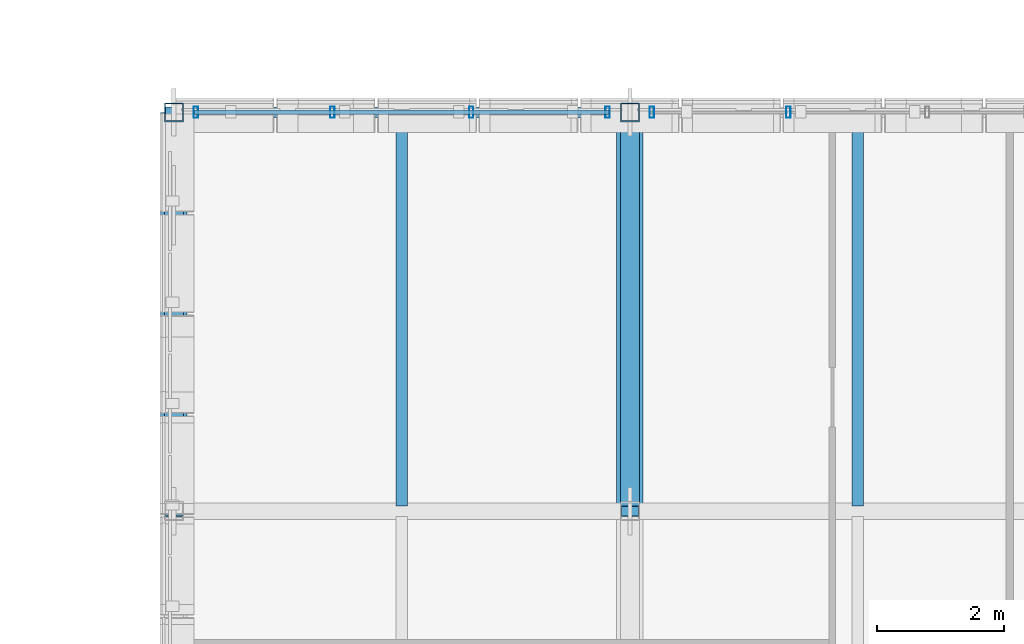
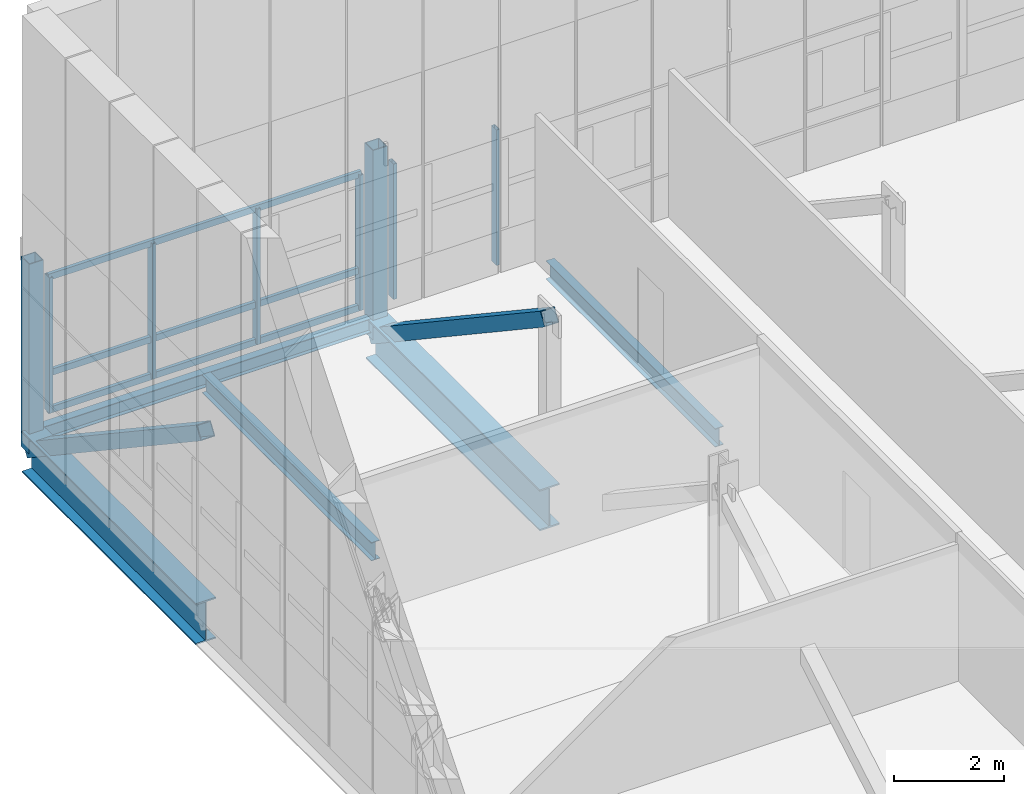
# One storey, part 32 of 144: 13 members, 5 beams, 2 elements without a shape of their own.
"""IFC4 building model written with IfcOpenShell, lengths in metres."""

from ifc_helpers import new_model, si_unit, direction, frame, origin, origin_2d, place, context, subcontext, project, spatial, hollow_rectangle, i_section, extrude, material, material_profile, profile_set, type_object, element, aggregate, save


model = new_model("IFC4")

# Units and contexts
model_context = context("Model", 3, precision=1e-05, world=origin(), true_north=direction((0.0, 1.0)))
body_context = subcontext(model_context, "Body", "Model", "MODEL_VIEW")
ifc_project = project(units=[si_unit("LENGTHUNIT", "METRE"), si_unit("AREAUNIT", "SQUARE_METRE"), si_unit("VOLUMEUNIT", "CUBIC_METRE"), si_unit("PLANEANGLEUNIT", "RADIAN"), si_unit("MASSUNIT", "GRAM", prefix="KILO")], contexts=[model_context])

# Site, building, storey
site_placement = place(None, origin())
site = spatial("IfcSite", under=ifc_project, at=site_placement, CompositionType="ELEMENT")
building_placement = place(site_placement, origin())
building = spatial("IfcBuilding", under=site, at=building_placement, Name="Yarey Park Central Fire Station", CompositionType="ELEMENT")
storey_placement = place(building_placement, frame((0.0, 0.0, 10.199951171875)))
storey = spatial("IfcBuildingStorey", under=building, at=storey_placement, Name="L03", CompositionType="ELEMENT", Elevation=10.199951171875)

# Curtain wall, members
ifc_material_1 = material(Name="Anodized Aluminium Frame", Category="aluminium")
curtain_wall_type = type_object("IfcCurtainWallType", Name="ENV_CW_V3_OVR1", PredefinedType="NOTDEFINED", material=ifc_material_1)
curtain_wall_1_placement = place(storey_placement, origin())
curtain_wall_1 = element("IfcCurtainWall", 1, at=curtain_wall_1_placement, inside=storey, type_object=curtain_wall_type, Name="CW_L03_V3_N_043", PredefinedType="NOTDEFINED")
ifc_material_profile_1 = material_profile(ifc_material_1, hollow_rectangle(XDim=0.070068359375, YDim=0.179931640625, WallThickness=0.00390625, at=origin_2d()), Name="ALU 180x70x4")
ifc_profile_set_1 = profile_set([ifc_material_profile_1], Name="Anodized Aluminium Frame")
member_type_1 = type_object("IfcMemberType", Name="ENV_CW_MULLION", PredefinedType="MULLION", material=ifc_profile_set_1)
member_1_placement = place(storey_placement, frame((35.64990234375, 99.0, 0.0), z_axis=(0.0, 0.0, 1.0), x_axis=(1.0, 0.0, 0.0)))
member_1 = element("IfcMember", 2, at=member_1_placement, type_object=member_type_1, Name="CW_L03_V3_N_043_MUL1", PredefinedType="MULLION", context=body_context, shape_type="SweptSolid", body=[
    extrude(hollow_rectangle(XDim=0.070068359375, YDim=0.179931640625, WallThickness=0.00390625, at=origin_2d()), origin(), (0.0, 0.0, 1.0), 3.0),
])
member_2_placement = place(storey_placement, frame((33.49658203125, 99.0, 0.0), z_axis=(0.0, 0.0, 1.0), x_axis=(1.0, 0.0, 0.0)))
member_2 = element("IfcMember", 3, at=member_2_placement, type_object=member_type_1, Name="CW_L03_V3_N_043_MUL2", PredefinedType="MULLION", context=body_context, shape_type="SweptSolid", body=[
    extrude(hollow_rectangle(XDim=0.070068359375, YDim=0.179931640625, WallThickness=0.00390625, at=origin_2d()), origin(), (0.0, 0.0, 1.0), 3.0),
])
member_3_placement = place(storey_placement, frame((31.30322265625, 99.0, 0.0), z_axis=(0.0, 0.0, 1.0), x_axis=(1.0, 0.0, 0.0)))
member_3 = element("IfcMember", 4, at=member_3_placement, type_object=member_type_1, Name="CW_L03_V3_N_043_MUL3", PredefinedType="MULLION", context=body_context, shape_type="SweptSolid", body=[
    extrude(hollow_rectangle(XDim=0.070068359375, YDim=0.179931640625, WallThickness=0.00390625, at=origin_2d()), origin(), (0.0, 0.0, 1.0), 3.0),
])
member_4_placement = place(storey_placement, frame((29.14990234375, 99.0, 0.0), z_axis=(0.0, 0.0, 1.0), x_axis=(1.0, 0.0, 0.0)))
member_4 = element("IfcMember", 5, at=member_4_placement, type_object=member_type_1, Name="CW_L03_V3_N_043_MUL4", PredefinedType="MULLION", context=body_context, shape_type="SweptSolid", body=[
    extrude(hollow_rectangle(XDim=0.070068359375, YDim=0.179931640625, WallThickness=0.00390625, at=origin_2d()), origin(), (0.0, 0.0, 1.0), 3.0),
])

curtain_wall_2_placement = place(storey_placement, origin())
curtain_wall_2 = element("IfcCurtainWall", 6, at=curtain_wall_2_placement, inside=storey, type_object=curtain_wall_type, Name="CW_L03_V3_N_044", PredefinedType="NOTDEFINED")
member_5_placement = place(storey_placement, frame((38.50341796875, 99.0, 0.0), z_axis=(0.0, 0.0, 1.0), x_axis=(1.0, 0.0, 0.0)))
member_5 = element("IfcMember", 7, at=member_5_placement, type_object=member_type_1, Name="CW_L03_V3_N_044_MUL3", PredefinedType="MULLION", context=body_context, shape_type="SweptSolid", body=[
    extrude(hollow_rectangle(XDim=0.070068359375, YDim=0.179931640625, WallThickness=0.00390625, at=origin_2d()), origin(), (0.0, 0.0, 1.0), 3.0),
])
member_6_placement = place(storey_placement, frame((36.35009765625, 99.0, 0.0), z_axis=(0.0, 0.0, 1.0), x_axis=(1.0, 0.0, 0.0)))
member_6 = element("IfcMember", 8, at=member_6_placement, type_object=member_type_1, Name="CW_L03_V3_N_044_MUL4", PredefinedType="MULLION", context=body_context, shape_type="SweptSolid", body=[
    extrude(hollow_rectangle(XDim=0.070068359375, YDim=0.179931640625, WallThickness=0.00390625, at=origin_2d()), origin(), (0.0, 0.0, 1.0), 3.0),
])
aggregate(curtain_wall_2, [member_5, member_6])

# Member
ifc_material_profile_2 = material_profile(ifc_material_1, hollow_rectangle(XDim=0.070068359375, YDim=0.139892578125, WallThickness=0.00390625, at=origin_2d()), Name="ALU 140x70x4")
ifc_profile_set_2 = profile_set([ifc_material_profile_2], Name="Anodized Aluminium Frame")
member_type_2 = type_object("IfcMemberType", Name="ENV_CW_TRANSOM", PredefinedType="USERDEFINED", material=ifc_profile_set_2)
member_7_placement = place(storey_placement, frame((35.675048828125, 99.0, 0.025146484375), z_axis=(-1.0, 0.0, 0.0), x_axis=(0.0, -1.0, 0.0)))
member_7 = element("IfcMember", 9, at=member_7_placement, type_object=member_type_2, Name="CW_L03_V3_N_043_TRN1", ObjectType="TRANSOM", PredefinedType="USERDEFINED", context=body_context, shape_type="SweptSolid", body=[
    extrude(hollow_rectangle(XDim=0.070068359375, YDim=0.139892578125, WallThickness=0.00390625, at=origin_2d()), origin(), (0.0, 0.0, 1.0), 6.550048828125),
])

member_8_placement = place(storey_placement, frame((35.675048828125, 99.0, 0.85009765625), z_axis=(-1.0, 0.0, 0.0), x_axis=(0.0, -1.0, 0.0)))
member_8 = element("IfcMember", 10, at=member_8_placement, type_object=member_type_2, Name="CW_L03_V3_N_043_TRN2", ObjectType="TRANSOM", PredefinedType="USERDEFINED", context=body_context, shape_type="SweptSolid", body=[
    extrude(hollow_rectangle(XDim=0.070068359375, YDim=0.139892578125, WallThickness=0.00390625, at=origin_2d()), origin(), (0.0, 0.0, 1.0), 6.550048828125),
])

member_9_placement = place(storey_placement, frame((35.675048828125, 99.0, 2.97509765625), z_axis=(-1.0, 0.0, 0.0), x_axis=(0.0, -1.0, 0.0)))
member_9 = element("IfcMember", 11, at=member_9_placement, type_object=member_type_2, Name="CW_L03_V3_N_043_TRN3", ObjectType="TRANSOM", PredefinedType="USERDEFINED", context=body_context, shape_type="SweptSolid", body=[
    extrude(hollow_rectangle(XDim=0.070068359375, YDim=0.139892578125, WallThickness=0.00390625, at=origin_2d()), origin(), (0.0, 0.0, 1.0), 6.550048828125),
])

aggregate(curtain_wall_1, [member_1, member_2, member_3, member_4, member_7, member_8, member_9])

# Beams
ifc_material_2 = material(Name="Steel ASTM A992 Gr. 50", Category="steel")
ifc_material_profile_3 = material_profile(ifc_material_2, i_section(OverallWidth=0.41796875, OverallDepth=0.912109375, WebThickness=0.019287109375, FlangeThickness=0.031982421875, at=origin_2d()), Name="W920x342")
ifc_profile_set_3 = profile_set([ifc_material_profile_3], Name="Steel ASTM A992 Gr. 50")
beam_type_1 = type_object("IfcBeamType", Name="STR_BM_W920", PredefinedType="BEAM", material=ifc_profile_set_3)
beam_1_placement = place(storey_placement, frame((36.0, 92.699951171875, -0.716064453125), z_axis=(0.0, 1.0, 0.0), x_axis=(-1.0, 0.0, 0.0)))
element("IfcBeam", 12, at=beam_1_placement, inside=storey, type_object=beam_type_1, Name="Transfer Truss TT2 L03 CH6", PredefinedType="BEAM", context=body_context, shape_type="SweptSolid", body=[
    extrude(i_section(OverallWidth=0.41796875, OverallDepth=0.912109375, WebThickness=0.019287109375, FlangeThickness=0.031982421875, at=origin_2d()), origin(), (0.0, 0.0, 1.0), 6.300048828125),
])
ifc_material_profile_4 = material_profile(ifc_material_2, i_section(OverallWidth=0.41796875, OverallDepth=0.912109375, WebThickness=0.019287109375, FlangeThickness=0.031982421875, at=origin_2d()), Name="W920x342")
ifc_profile_set_4 = profile_set([ifc_material_profile_4], Name="Steel ASTM A992 Gr. 50")
beam_type_2 = type_object("IfcBeamType", Name="STR_BM_W920E", PredefinedType="BEAM", material=ifc_profile_set_4)
beam_2_placement = place(storey_placement, frame((28.800048828125, 92.699951171875, -0.716064453125), z_axis=(0.0, 1.0, 0.0), x_axis=(-1.0, 0.0, 0.0)))
element("IfcBeam", 13, at=beam_2_placement, inside=storey, type_object=beam_type_2, Name="Transfer Truss TT1 L03 CH6", PredefinedType="BEAM", context=body_context, shape_type="SweptSolid", body=[
    extrude(i_section(OverallWidth=0.41796875, OverallDepth=0.912109375, WebThickness=0.019287109375, FlangeThickness=0.031982421875, at=origin_2d()), origin(), (0.0, 0.0, 1.0), 6.300048828125),
])
ifc_material_profile_5 = material_profile(ifc_material_2, i_section(OverallWidth=0.177978515625, OverallDepth=0.406982421875, WebThickness=0.0078125, FlangeThickness=0.0126953125, at=origin_2d()), Name="W410x60")
ifc_profile_set_5 = profile_set([ifc_material_profile_5], Name="Steel ASTM A992 Gr. 50")
beam_type_3 = type_object("IfcBeamType", Name="STR_JST_W410", PredefinedType="JOIST", material=ifc_profile_set_5)
for number, where, z_axis, x_axis, name in (
    (14, (32.39990234375, 92.780029296875, -0.46337890625), (0.0, 1.0, 0.0), (-1.0, 0.0, 0.0), "CANT JST L03 X324 Y927"),
    (15, (39.60009765625, 92.780029296875, -0.46337890625), (0.0, 1.0, 0.0), (-1.0, 0.0, 0.0), "CANT JST L03 X396 Y927"),
):
    element("IfcBeam", number, at=place(storey_placement, frame(where, z_axis=z_axis, x_axis=x_axis)), inside=storey, type_object=beam_type_3, Name=name, PredefinedType="JOIST", context=body_context, shape_type="SweptSolid", body=[
        extrude(i_section(OverallWidth=0.177978515625, OverallDepth=0.406982421875, WebThickness=0.0078125, FlangeThickness=0.0126953125, at=origin_2d()), origin(), (0.0, 0.0, 1.0), 6.139892578125),
    ])

# Members
ifc_material_3 = material(Name="Steel ASTM A500 Gr. C", Category="steel")
ifc_material_profile_6 = material_profile(ifc_material_3, hollow_rectangle(XDim=0.300048828125, YDim=0.300048828125, WallThickness=0.01611328125, at=origin_2d()), Name="HSS 300x300x16")
ifc_profile_set_6 = profile_set([ifc_material_profile_6], Name="Steel ASTM A500 Gr. C")
member_type_3 = type_object("IfcMemberType", Name="STR_PRATT_HSS300", PredefinedType="BRACE", material=ifc_profile_set_6)
member_10_placement = place(storey_placement, frame((36.0, 92.699951171875, 3.5), z_axis=(0.0, 0.832055254913, -0.55469275529), x_axis=(-1.0, 0.0, 0.0)))
element("IfcMember", 16, at=member_10_placement, inside=storey, type_object=member_type_3, Name="TT2_L03_DIAG6", PredefinedType="BRACE", context=body_context, shape_type="SweptSolid", body=[
    extrude(hollow_rectangle(XDim=0.300048828125, YDim=0.300048828125, WallThickness=0.01611328125, at=origin_2d()), origin(), (0.0, 0.0, 1.0), 7.57177734375),
])
ifc_material_profile_7 = material_profile(ifc_material_3, hollow_rectangle(XDim=0.300048828125, YDim=0.300048828125, WallThickness=0.01611328125, at=origin_2d()), Name="HSS 300x300x16")
ifc_profile_set_7 = profile_set([ifc_material_profile_7], Name="Steel ASTM A500 Gr. C")
member_type_4 = type_object("IfcMemberType", Name="STR_PRATT_HSS300E", PredefinedType="BRACE", material=ifc_profile_set_7)
member_11_placement = place(storey_placement, frame((28.800048828125, 92.699951171875, 3.5), z_axis=(0.0, 0.832055254913, -0.55469275529), x_axis=(-1.0, 0.0, 0.0)))
element("IfcMember", 17, at=member_11_placement, inside=storey, type_object=member_type_4, Name="TT1_L03_DIAG6", PredefinedType="BRACE", context=body_context, shape_type="SweptSolid", body=[
    extrude(hollow_rectangle(XDim=0.300048828125, YDim=0.300048828125, WallThickness=0.01611328125, at=origin_2d()), origin(), (0.0, 0.0, 1.0), 7.57177734375),
])
for number, where, z_axis, x_axis, name in (
    (18, (28.800048828125, 99.0, -0.699951171875), (0.0, 0.0, 1.0), (1.0, 0.0, 0.0), "TT1_L03_POST_990"),
    (19, (36.0, 99.0, -0.699951171875), (0.0, 0.0, 1.0), (1.0, 0.0, 0.0), "TT2_L03_POST_990"),
):
    element("IfcMember", number, at=place(storey_placement, frame(where, z_axis=z_axis, x_axis=x_axis)), inside=storey, type_object=member_type_4, Name=name, PredefinedType="BRACE", context=body_context, shape_type="SweptSolid", body=[
        extrude(hollow_rectangle(XDim=0.300048828125, YDim=0.300048828125, WallThickness=0.01611328125, at=origin_2d()), origin(), (0.0, 0.0, 1.0), 4.199951171875),
    ])

# Beam
ifc_material_profile_8 = material_profile(ifc_material_2, i_section(OverallWidth=0.1650390625, OverallDepth=0.31005859375, WebThickness=0.005859375, FlangeThickness=0.009765625, at=origin_2d()), Name="W310x39")
ifc_profile_set_8 = profile_set([ifc_material_profile_8], Name="Steel ASTM A992 Gr. 50")
beam_type_4 = type_object("IfcBeamType", Name="STR_SPN_W310", PredefinedType="SPANDREL", material=ifc_profile_set_8)
beam_3_placement = place(storey_placement, frame((28.800048828125, 99.0, -0.4150390625), z_axis=(1.0, 0.0, 0.0), x_axis=(0.0, 1.0, 0.0)))
element("IfcBeam", 20, at=beam_3_placement, inside=storey, type_object=beam_type_4, Name="CANT TIE L03 Y990 X28", PredefinedType="SPANDREL", context=body_context, shape_type="SweptSolid", body=[
    extrude(i_section(OverallWidth=0.1650390625, OverallDepth=0.31005859375, WebThickness=0.005859375, FlangeThickness=0.009765625, at=origin_2d()), origin(), (0.0, 0.0, 1.0), 7.199951171875),
])

save(model, "model.ifc")
